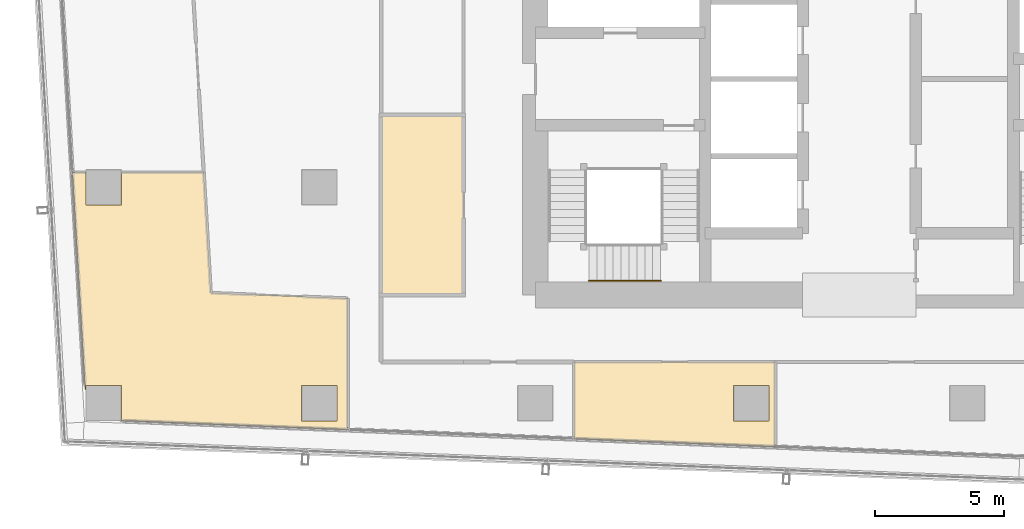
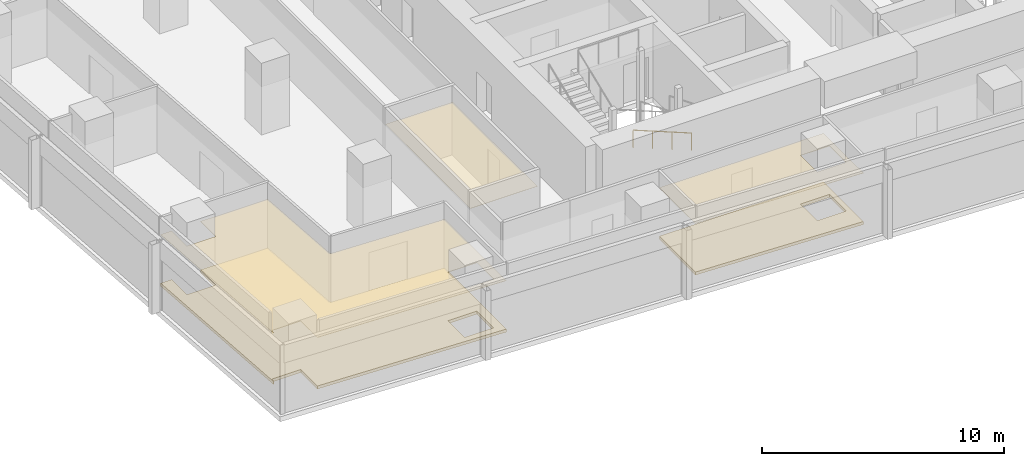
# One storey, part 31 of 38: 5 coverings, 1 railing.
"""IFC4 building model written with IfcOpenShell, lengths in metres."""

from ifc_helpers import new_model, si_unit, direction, frame, origin, origin_2d, place, context, subcontext, project, spatial, polyline, circle, outline, extrude, material, layer, layer_set, type_object, element, save


model = new_model("IFC4")

# Units and contexts
model_context = context("Model", 3, precision=1e-05, world=origin(), true_north=direction((0.0, 1.0)))
body_context = subcontext(model_context, "Body", "Model", "MODEL_VIEW")
ifc_project = project(units=[si_unit("LENGTHUNIT", "METRE"), si_unit("AREAUNIT", "SQUARE_METRE"), si_unit("VOLUMEUNIT", "CUBIC_METRE"), si_unit("PLANEANGLEUNIT", "RADIAN"), si_unit("MASSUNIT", "GRAM", prefix="KILO")], contexts=[model_context])

# Site, building, storey
site_placement = place(None, origin())
site = spatial("IfcSite", under=ifc_project, at=site_placement, CompositionType="ELEMENT")
building_placement = place(site_placement, origin())
building = spatial("IfcBuilding", under=site, at=building_placement, Name="Rekha Terrace Tower", CompositionType="ELEMENT")
storey_placement = place(building_placement, frame((0.0, 0.0, 195.199951171875)))
storey = spatial("IfcBuildingStorey", under=building, at=storey_placement, Name="L49", CompositionType="ELEMENT", Elevation=195.199951171875)

# Coverings
ifc_material_1 = material(Name="Mineral fibre tile in exposed grid", Category="finish")
ifc_layer_1 = layer(ifc_material_1, 0.02001953125)
ifc_layer_set_1 = layer_set([ifc_layer_1], Name="Mineral fibre tile in exposed grid")
covering_type_1 = type_object("IfcCoveringType", Name="CL1 600x1200 office grid ceiling", PredefinedType="CEILING", material=ifc_layer_set_1)
covering_1_placement = place(storey_placement, frame((0.0, 0.0, 2.580078125)))
element("IfcCovering", 1, at=covering_1_placement, inside=storey, type_object=covering_type_1, Name="Ceiling L49-16", PredefinedType="CEILING", context=body_context, shape_type="SweptSolid", body=[
    extrude(outline(polyline([(9.090087890625, 16.117919921875), (17.89892578125, 15.76611328125), (17.89892578125, 20.8701171875), (12.572021484375, 21.0830078125), (12.2958984375, 25.76611328125), (9.090087890625, 25.76611328125), (9.090087890625, 24.510009765625), (7.7099609375, 24.510009765625), (7.7099609375, 25.76611328125), (7.18701171875, 25.76611328125), (7.68408203125, 17.319091796875), (7.7099609375, 17.320068359375), (7.7099609375, 17.489990234375), (9.090087890625, 17.489990234375), (9.090087890625, 16.117919921875)]), holes=[polyline([(17.489990234375, 17.489990234375), (17.489990234375, 16.110107421875), (16.110107421875, 16.110107421875), (16.110107421875, 17.489990234375), (17.489990234375, 17.489990234375)])]), origin(), (0.0, 0.0, 1.0), 0.02001953125),
])
covering_2_placement = place(storey_placement, frame((0.0, 0.0, 2.580078125)))
element("IfcCovering", 2, at=covering_2_placement, inside=storey, type_object=covering_type_1, Name="Ceiling L49-17", PredefinedType="CEILING", context=body_context, shape_type="SweptSolid", body=[
    extrude(outline(polyline([(34.530029296875, 15.10205078125), (34.530029296875, 18.39990234375), (26.7041015625, 18.39990234375), (26.7041015625, 15.4150390625), (34.530029296875, 15.10205078125)]), holes=[polyline([(34.2900390625, 16.110107421875), (32.909912109375, 16.110107421875), (32.909912109375, 17.489990234375), (34.2900390625, 17.489990234375), (34.2900390625, 16.110107421875)])]), origin(), (0.0, 0.0, 1.0), 0.02001953125),
])
ifc_material_2 = material(Name="Fibre cement board", Category="finish")
ifc_layer_2 = layer(ifc_material_2, 0.014892578125)
ifc_layer_set_2 = layer_set([ifc_layer_2], Name="Fibre cement board")
covering_type_2 = type_object("IfcCoveringType", Name="CL2 moisture-resistant board ceiling", PredefinedType="CEILING", material=ifc_layer_set_2)
covering_3_placement = place(storey_placement, frame((0.0, 0.0, 2.5849609375)))
element("IfcCovering", 3, at=covering_3_placement, inside=storey, type_object=covering_type_2, Name="Ceiling L49-WCM", PredefinedType="CEILING", context=body_context, shape_type="SweptSolid", body=[
    extrude(outline(polyline([(22.39990234375, 28.0), (19.199951171875, 28.0), (19.199951171875, 21.0), (22.39990234375, 21.0), (22.39990234375, 28.0)])), origin(), (0.0, 0.0, 1.0), 0.01513671875),
])

# Railing
ifc_material_3 = material(Name="Stainless steel tube", Category="steel")
railing_type = type_object("IfcRailingType", Name="HR1 900 stair handrail", PredefinedType="HANDRAIL", material=ifc_material_3)
railing_placement = place(storey_placement, frame((30.074951171875, 21.56005859375, 1.375)))
element("IfcRailing", 4, at=railing_placement, inside=storey, type_object=railing_type, Name="Handrail ST1 L49 flight 2", PredefinedType="HANDRAIL", context=body_context, shape_type="SweptSolid", body=[
    extrude(circle(Radius=0.02392578125, at=origin_2d()), frame((0.0, 0.0, 0.8759765625), z_axis=(-0.927443287984, 0.0, 0.373963831907), x_axis=(0.0, -1.0, 0.0)), (0.0, 0.0, 1.0), 3.00830078125),
    extrude(circle(Radius=0.02099609375, at=origin_2d()), origin(), (0.0, 0.0, 1.0), 0.851806640625),
    extrude(circle(Radius=0.02099609375, at=origin_2d()), frame((-0.929931640625, 0.0, 0.375)), (0.0, 0.0, 1.0), 0.851806640625),
    extrude(circle(Radius=0.02099609375, at=origin_2d()), frame((-1.860107421875, 0.0, 0.75)), (0.0, 0.0, 1.0), 0.851806640625),
    extrude(circle(Radius=0.02099609375, at=origin_2d()), frame((-2.7900390625, 0.0, 1.125)), (0.0, 0.0, 1.0), 0.851806640625),
])

# Coverings
ifc_material_4 = material(Name="Calcium sulphate panels on steel pedestals", Category="steel")
ifc_layer_3 = layer(ifc_material_4, 0.14990234375)
ifc_layer_set_3 = layer_set([ifc_layer_3], Name="Calcium sulphate panels on steel pedestals")
covering_type_3 = type_object("IfcCoveringType", Name="RF1 150 raised access floor", PredefinedType="FLOORING", material=ifc_layer_set_3)
covering_4_placement = place(storey_placement, origin())
element("IfcCovering", 5, at=covering_4_placement, inside=storey, type_object=covering_type_3, Name="Raised floor L49-16", PredefinedType="FLOORING", context=body_context, shape_type="SweptSolid", body=[
    extrude(outline(polyline([(9.090087890625, 16.117919921875), (17.89892578125, 15.76611328125), (17.89892578125, 20.8701171875), (12.572021484375, 21.0830078125), (12.2958984375, 25.76611328125), (9.090087890625, 25.76611328125), (9.090087890625, 24.510009765625), (7.7099609375, 24.510009765625), (7.7099609375, 25.76611328125), (7.18701171875, 25.76611328125), (7.68408203125, 17.319091796875), (7.7099609375, 17.320068359375), (7.7099609375, 17.489990234375), (9.090087890625, 17.489990234375), (9.090087890625, 16.117919921875)]), holes=[polyline([(17.489990234375, 17.489990234375), (17.489990234375, 16.110107421875), (16.110107421875, 16.110107421875), (16.110107421875, 17.489990234375), (17.489990234375, 17.489990234375)])]), origin(), (0.0, 0.0, 1.0), 0.150146484375),
])
covering_5_placement = place(storey_placement, origin())
element("IfcCovering", 6, at=covering_5_placement, inside=storey, type_object=covering_type_3, Name="Raised floor L49-17", PredefinedType="FLOORING", context=body_context, shape_type="SweptSolid", body=[
    extrude(outline(polyline([(34.530029296875, 15.10205078125), (34.530029296875, 18.39990234375), (26.7041015625, 18.39990234375), (26.7041015625, 15.4150390625), (34.530029296875, 15.10205078125)]), holes=[polyline([(34.2900390625, 16.110107421875), (32.909912109375, 16.110107421875), (32.909912109375, 17.489990234375), (34.2900390625, 17.489990234375), (34.2900390625, 16.110107421875)])]), origin(), (0.0, 0.0, 1.0), 0.150146484375),
])

save(model, "model.ifc")
